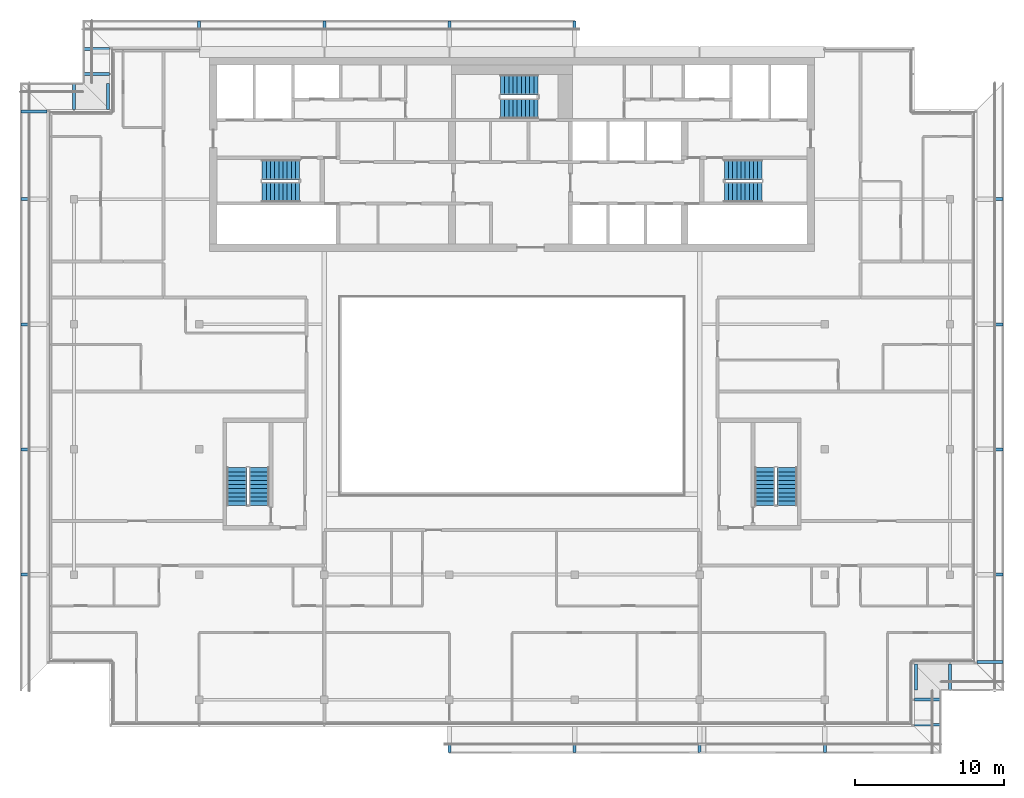
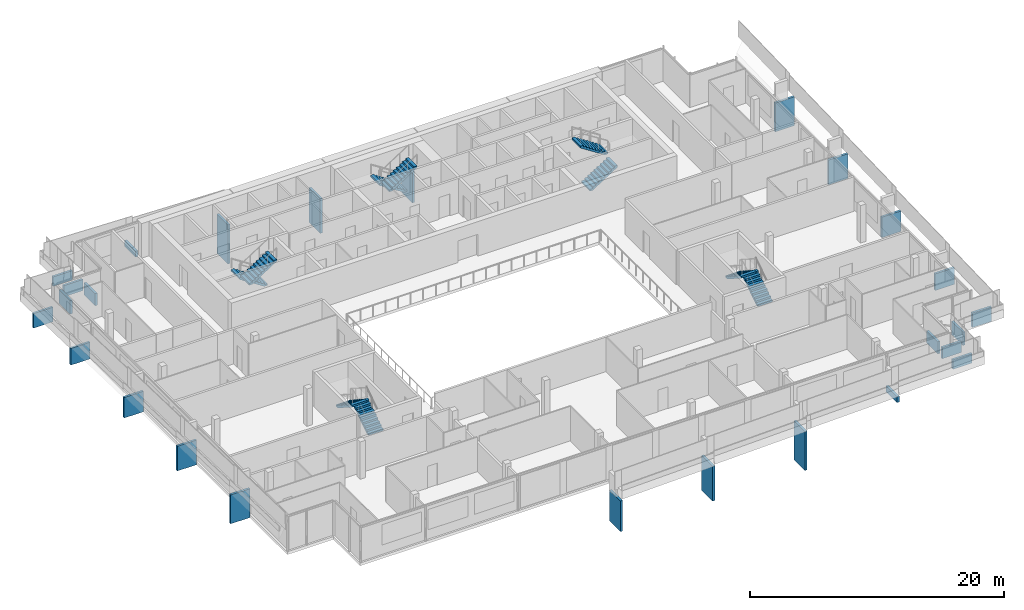
# One storey, part 21 of 26: 26 discrete accessories, 10 stair flights, 5 elements without a shape of their own.
"""IFC4 building model written with IfcOpenShell, lengths in metres."""

from ifc_helpers import new_model, si_unit, direction, frame, origin, origin_2d, place, context, subcontext, project, spatial, polyline, rectangle, outline, extrude, material, type_object, element, aggregate, save


model = new_model("IFC4")

# Units and contexts
model_context = context("Model", 3, precision=1e-05, world=origin(), true_north=direction((0.0, 1.0)))
body_context = subcontext(model_context, "Body", "Model", "MODEL_VIEW")
ifc_project = project(units=[si_unit("LENGTHUNIT", "METRE"), si_unit("AREAUNIT", "SQUARE_METRE"), si_unit("VOLUMEUNIT", "CUBIC_METRE"), si_unit("PLANEANGLEUNIT", "RADIAN"), si_unit("MASSUNIT", "GRAM", prefix="KILO")], contexts=[model_context])

# Site, building, storey
site_placement = place(None, origin())
site = spatial("IfcSite", under=ifc_project, at=site_placement, CompositionType="ELEMENT")
building_placement = place(site_placement, origin())
building = spatial("IfcBuilding", under=site, at=building_placement, Name="Saffron Gate Tower", CompositionType="ELEMENT")
storey_placement = place(building_placement, frame((0.0, 0.0, 277.949951171875)))
storey = spatial("IfcBuildingStorey", under=building, at=storey_placement, Name="L67", CompositionType="ELEMENT", Elevation=277.949951171875)

# Stair, stair flights
ifc_material = material(Name="Concrete C40", Category="concrete")
stair_type = type_object("IfcStairType", Name="ST7 Stair 1350 wide, 20 risers of 180", PredefinedType="HALF_TURN_STAIR", material=ifc_material)
stair_1_placement = place(storey_placement, origin())
stair_1 = element("IfcStair", 1, at=stair_1_placement, inside=storey, type_object=stair_type, Name="L67 Exit stair A", PredefinedType="HALF_TURN_STAIR")
stair_flight_type = type_object("IfcStairFlightType", Name="SF3 Stair flight 1350 wide, riser 180 going 280", PredefinedType="STRAIGHT", material=ifc_material)
stair_flight_1_placement = place(storey_placement, frame((73.35009765625, 67.375, 0.0), z_axis=(0.0, 0.0, 1.0), x_axis=(-1.0, 0.0, 0.0)))
stair_flight_1 = element("IfcStairFlight", 2, at=stair_flight_1_placement, type_object=stair_flight_type, Name="ST-A flight 1", NumberOfRisers=10, NumberOfTreads=9, PredefinedType="STRAIGHT", RiserHeight=0.18, TreadLength=0.28, context=body_context, shape_type="SweptSolid", body=[
    extrude(outline(polyline([(0.0, 0.0), (0.0, 0.179931640625), (0.280029296875, 0.179931640625), (0.280029296875, 0.360107421875), (0.56005859375, 0.360107421875), (0.56005859375, 0.5400390625), (0.840087890625, 0.5400390625), (0.840087890625, 0.719970703125), (1.1201171875, 0.719970703125), (1.1201171875, 0.89990234375), (1.39990234375, 0.89990234375), (1.39990234375, 1.080078125), (1.679931640625, 1.080078125), (1.679931640625, 1.260009765625), (1.9599609375, 1.260009765625), (1.9599609375, 1.43994140625), (2.239990234375, 1.43994140625), (2.239990234375, 1.6201171875), (2.52001953125, 1.6201171875), (2.52001953125, 1.800048828125), (2.52001953125, 1.44189453125), (0.277099609375, 0.0), (0.0, 0.0)])), frame((0.0, 0.675048828125, 0.0), z_axis=(0.0, -1.0, 0.0), x_axis=(1.0, 0.0, 0.0)), (0.0, 0.0, 1.0), 1.35009765625),
])
stair_flight_2_placement = place(storey_placement, frame((70.830078125, 65.875, 1.800048828125), z_axis=(0.0, 0.0, 1.0), x_axis=(1.0, 0.0, 0.0)))
stair_flight_2 = element("IfcStairFlight", 3, at=stair_flight_2_placement, type_object=stair_flight_type, Name="ST-A flight 2", NumberOfRisers=10, NumberOfTreads=9, PredefinedType="STRAIGHT", RiserHeight=0.18, TreadLength=0.28, context=body_context, shape_type="SweptSolid", body=[
    extrude(outline(polyline([(0.0, 0.0), (0.0, 0.179931640625), (0.280029296875, 0.179931640625), (0.280029296875, 0.360107421875), (0.56005859375, 0.360107421875), (0.56005859375, 0.5400390625), (0.840087890625, 0.5400390625), (0.840087890625, 0.719970703125), (1.1201171875, 0.719970703125), (1.1201171875, 0.89990234375), (1.39990234375, 0.89990234375), (1.39990234375, 1.080078125), (1.679931640625, 1.080078125), (1.679931640625, 1.260009765625), (1.9599609375, 1.260009765625), (1.9599609375, 1.43994140625), (2.239990234375, 1.43994140625), (2.239990234375, 1.6201171875), (2.52001953125, 1.6201171875), (2.52001953125, 1.800048828125), (2.52001953125, 1.44189453125), (0.277099609375, 0.0), (0.0, 0.0)])), frame((0.0, 0.675048828125, 0.0), z_axis=(0.0, -1.0, 0.0), x_axis=(1.0, 0.0, 0.0)), (0.0, 0.0, 1.0), 1.35009765625),
])
aggregate(stair_1, [stair_flight_1, stair_flight_2])

stair_2_placement = place(storey_placement, origin())
stair_2 = element("IfcStair", 4, at=stair_2_placement, inside=storey, type_object=stair_type, Name="L67 Exit stair B", PredefinedType="HALF_TURN_STAIR")
stair_flight_3_placement = place(storey_placement, frame((101.85009765625, 65.875, 0.0), z_axis=(0.0, 0.0, 1.0), x_axis=(1.0, 0.0, 0.0)))
stair_flight_3 = element("IfcStairFlight", 5, at=stair_flight_3_placement, type_object=stair_flight_type, Name="ST-B flight 1", NumberOfRisers=10, NumberOfTreads=9, PredefinedType="STRAIGHT", RiserHeight=0.18, TreadLength=0.28, context=body_context, shape_type="SweptSolid", body=[
    extrude(outline(polyline([(0.0, 0.0), (0.0, 0.179931640625), (0.280029296875, 0.179931640625), (0.280029296875, 0.360107421875), (0.56005859375, 0.360107421875), (0.56005859375, 0.5400390625), (0.840087890625, 0.5400390625), (0.840087890625, 0.719970703125), (1.1201171875, 0.719970703125), (1.1201171875, 0.89990234375), (1.39990234375, 0.89990234375), (1.39990234375, 1.080078125), (1.679931640625, 1.080078125), (1.679931640625, 1.260009765625), (1.9599609375, 1.260009765625), (1.9599609375, 1.43994140625), (2.239990234375, 1.43994140625), (2.239990234375, 1.6201171875), (2.52001953125, 1.6201171875), (2.52001953125, 1.800048828125), (2.52001953125, 1.44189453125), (0.277099609375, 0.0), (0.0, 0.0)])), frame((0.0, 0.675048828125, 0.0), z_axis=(0.0, -1.0, 0.0), x_axis=(1.0, 0.0, 0.0)), (0.0, 0.0, 1.0), 1.35009765625),
])
stair_flight_4_placement = place(storey_placement, frame((104.3701171875, 67.375, 1.800048828125), z_axis=(0.0, 0.0, 1.0), x_axis=(-1.0, 0.0, 0.0)))
stair_flight_4 = element("IfcStairFlight", 6, at=stair_flight_4_placement, type_object=stair_flight_type, Name="ST-B flight 2", NumberOfRisers=10, NumberOfTreads=9, PredefinedType="STRAIGHT", RiserHeight=0.18, TreadLength=0.28, context=body_context, shape_type="SweptSolid", body=[
    extrude(outline(polyline([(0.0, 0.0), (0.0, 0.179931640625), (0.280029296875, 0.179931640625), (0.280029296875, 0.360107421875), (0.56005859375, 0.360107421875), (0.56005859375, 0.5400390625), (0.840087890625, 0.5400390625), (0.840087890625, 0.719970703125), (1.1201171875, 0.719970703125), (1.1201171875, 0.89990234375), (1.39990234375, 0.89990234375), (1.39990234375, 1.080078125), (1.679931640625, 1.080078125), (1.679931640625, 1.260009765625), (1.9599609375, 1.260009765625), (1.9599609375, 1.43994140625), (2.239990234375, 1.43994140625), (2.239990234375, 1.6201171875), (2.52001953125, 1.6201171875), (2.52001953125, 1.800048828125), (2.52001953125, 1.44189453125), (0.277099609375, 0.0), (0.0, 0.0)])), frame((0.0, 0.675048828125, 0.0), z_axis=(0.0, -1.0, 0.0), x_axis=(1.0, 0.0, 0.0)), (0.0, 0.0, 1.0), 1.35009765625),
])
aggregate(stair_2, [stair_flight_3, stair_flight_4])

stair_3_placement = place(storey_placement, origin())
stair_3 = element("IfcStair", 7, at=stair_3_placement, inside=storey, type_object=stair_type, Name="L67 Exit stair C", PredefinedType="HALF_TURN_STAIR")
stair_flight_5_placement = place(storey_placement, frame((89.35009765625, 73.074951171875, 0.0), z_axis=(0.0, 0.0, 1.0), x_axis=(-1.0, 0.0, 0.0)))
stair_flight_5 = element("IfcStairFlight", 8, at=stair_flight_5_placement, type_object=stair_flight_type, Name="ST-C flight 1", NumberOfRisers=10, NumberOfTreads=9, PredefinedType="STRAIGHT", RiserHeight=0.18, TreadLength=0.28, context=body_context, shape_type="SweptSolid", body=[
    extrude(outline(polyline([(0.0, 0.0), (0.0, 0.179931640625), (0.280029296875, 0.179931640625), (0.280029296875, 0.360107421875), (0.56005859375, 0.360107421875), (0.56005859375, 0.5400390625), (0.840087890625, 0.5400390625), (0.840087890625, 0.719970703125), (1.1201171875, 0.719970703125), (1.1201171875, 0.89990234375), (1.39990234375, 0.89990234375), (1.39990234375, 1.080078125), (1.679931640625, 1.080078125), (1.679931640625, 1.260009765625), (1.9599609375, 1.260009765625), (1.9599609375, 1.43994140625), (2.239990234375, 1.43994140625), (2.239990234375, 1.6201171875), (2.52001953125, 1.6201171875), (2.52001953125, 1.800048828125), (2.52001953125, 1.44189453125), (0.277099609375, 0.0), (0.0, 0.0)])), frame((0.0, 0.675048828125, 0.0), z_axis=(0.0, -1.0, 0.0), x_axis=(1.0, 0.0, 0.0)), (0.0, 0.0, 1.0), 1.35009765625),
])
stair_flight_6_placement = place(storey_placement, frame((86.830078125, 71.47509765625, 1.800048828125), z_axis=(0.0, 0.0, 1.0), x_axis=(1.0, 0.0, 0.0)))
stair_flight_6 = element("IfcStairFlight", 9, at=stair_flight_6_placement, type_object=stair_flight_type, Name="ST-C flight 2", NumberOfRisers=10, NumberOfTreads=9, PredefinedType="STRAIGHT", RiserHeight=0.18, TreadLength=0.28, context=body_context, shape_type="SweptSolid", body=[
    extrude(outline(polyline([(0.0, 0.0), (0.0, 0.179931640625), (0.280029296875, 0.179931640625), (0.280029296875, 0.360107421875), (0.56005859375, 0.360107421875), (0.56005859375, 0.5400390625), (0.840087890625, 0.5400390625), (0.840087890625, 0.719970703125), (1.1201171875, 0.719970703125), (1.1201171875, 0.89990234375), (1.39990234375, 0.89990234375), (1.39990234375, 1.080078125), (1.679931640625, 1.080078125), (1.679931640625, 1.260009765625), (1.9599609375, 1.260009765625), (1.9599609375, 1.43994140625), (2.239990234375, 1.43994140625), (2.239990234375, 1.6201171875), (2.52001953125, 1.6201171875), (2.52001953125, 1.800048828125), (2.52001953125, 1.44189453125), (0.277099609375, 0.0), (0.0, 0.0)])), frame((0.0, 0.675048828125, 0.0), z_axis=(0.0, -1.0, 0.0), x_axis=(1.0, 0.0, 0.0)), (0.0, 0.0, 1.0), 1.35009765625),
])
aggregate(stair_3, [stair_flight_5, stair_flight_6])

stair_4_placement = place(storey_placement, origin())
stair_4 = element("IfcStair", 10, at=stair_4_placement, inside=storey, type_object=stair_type, Name="L67 Exit stair D", PredefinedType="HALF_TURN_STAIR")
stair_flight_7_placement = place(storey_placement, frame((70.625, 44.85009765625, 0.0), z_axis=(0.0, 0.0, 1.0), x_axis=(0.0, 1.0, 0.0)))
stair_flight_7 = element("IfcStairFlight", 11, at=stair_flight_7_placement, type_object=stair_flight_type, Name="ST-D flight 1", NumberOfRisers=10, NumberOfTreads=9, PredefinedType="STRAIGHT", RiserHeight=0.18, TreadLength=0.28, context=body_context, shape_type="SweptSolid", body=[
    extrude(outline(polyline([(0.0, 0.0), (0.0, 0.179931640625), (0.280029296875, 0.179931640625), (0.280029296875, 0.360107421875), (0.56005859375, 0.360107421875), (0.56005859375, 0.5400390625), (0.840087890625, 0.5400390625), (0.840087890625, 0.719970703125), (1.1201171875, 0.719970703125), (1.1201171875, 0.89990234375), (1.39990234375, 0.89990234375), (1.39990234375, 1.080078125), (1.679931640625, 1.080078125), (1.679931640625, 1.260009765625), (1.9599609375, 1.260009765625), (1.9599609375, 1.43994140625), (2.239990234375, 1.43994140625), (2.239990234375, 1.6201171875), (2.52001953125, 1.6201171875), (2.52001953125, 1.800048828125), (2.52001953125, 1.44189453125), (0.277099609375, 0.0), (0.0, 0.0)])), frame((0.0, 0.675048828125, 0.0), z_axis=(0.0, -1.0, 0.0), x_axis=(1.0, 0.0, 0.0)), (0.0, 0.0, 1.0), 1.35009765625),
])
stair_flight_8_placement = place(storey_placement, frame((69.125, 47.3701171875, 1.800048828125), z_axis=(0.0, 0.0, 1.0), x_axis=(0.0, -1.0, 0.0)))
stair_flight_8 = element("IfcStairFlight", 12, at=stair_flight_8_placement, type_object=stair_flight_type, Name="ST-D flight 2", NumberOfRisers=10, NumberOfTreads=9, PredefinedType="STRAIGHT", RiserHeight=0.18, TreadLength=0.28, context=body_context, shape_type="SweptSolid", body=[
    extrude(outline(polyline([(0.0, 0.0), (0.0, 0.179931640625), (0.280029296875, 0.179931640625), (0.280029296875, 0.360107421875), (0.56005859375, 0.360107421875), (0.56005859375, 0.5400390625), (0.840087890625, 0.5400390625), (0.840087890625, 0.719970703125), (1.1201171875, 0.719970703125), (1.1201171875, 0.89990234375), (1.39990234375, 0.89990234375), (1.39990234375, 1.080078125), (1.679931640625, 1.080078125), (1.679931640625, 1.260009765625), (1.9599609375, 1.260009765625), (1.9599609375, 1.43994140625), (2.239990234375, 1.43994140625), (2.239990234375, 1.6201171875), (2.52001953125, 1.6201171875), (2.52001953125, 1.800048828125), (2.52001953125, 1.44189453125), (0.277099609375, 0.0), (0.0, 0.0)])), frame((0.0, 0.675048828125, 0.0), z_axis=(0.0, -1.0, 0.0), x_axis=(1.0, 0.0, 0.0)), (0.0, 0.0, 1.0), 1.35009765625),
])
aggregate(stair_4, [stair_flight_7, stair_flight_8])

stair_5_placement = place(storey_placement, origin())
stair_5 = element("IfcStair", 13, at=stair_5_placement, inside=storey, type_object=stair_type, Name="L67 Exit stair E", PredefinedType="HALF_TURN_STAIR")
stair_flight_9_placement = place(storey_placement, frame((106.074951171875, 44.85009765625, 0.0), z_axis=(0.0, 0.0, 1.0), x_axis=(0.0, 1.0, 0.0)))
stair_flight_9 = element("IfcStairFlight", 14, at=stair_flight_9_placement, type_object=stair_flight_type, Name="ST-E flight 1", NumberOfRisers=10, NumberOfTreads=9, PredefinedType="STRAIGHT", RiserHeight=0.18, TreadLength=0.28, context=body_context, shape_type="SweptSolid", body=[
    extrude(outline(polyline([(0.0, 0.0), (0.0, 0.179931640625), (0.280029296875, 0.179931640625), (0.280029296875, 0.360107421875), (0.56005859375, 0.360107421875), (0.56005859375, 0.5400390625), (0.840087890625, 0.5400390625), (0.840087890625, 0.719970703125), (1.1201171875, 0.719970703125), (1.1201171875, 0.89990234375), (1.39990234375, 0.89990234375), (1.39990234375, 1.080078125), (1.679931640625, 1.080078125), (1.679931640625, 1.260009765625), (1.9599609375, 1.260009765625), (1.9599609375, 1.43994140625), (2.239990234375, 1.43994140625), (2.239990234375, 1.6201171875), (2.52001953125, 1.6201171875), (2.52001953125, 1.800048828125), (2.52001953125, 1.44189453125), (0.277099609375, 0.0), (0.0, 0.0)])), frame((0.0, 0.675048828125, 0.0), z_axis=(0.0, -1.0, 0.0), x_axis=(1.0, 0.0, 0.0)), (0.0, 0.0, 1.0), 1.35009765625),
])
stair_flight_10_placement = place(storey_placement, frame((104.574951171875, 47.3701171875, 1.800048828125), z_axis=(0.0, 0.0, 1.0), x_axis=(0.0, -1.0, 0.0)))
stair_flight_10 = element("IfcStairFlight", 15, at=stair_flight_10_placement, type_object=stair_flight_type, Name="ST-E flight 2", NumberOfRisers=10, NumberOfTreads=9, PredefinedType="STRAIGHT", RiserHeight=0.18, TreadLength=0.28, context=body_context, shape_type="SweptSolid", body=[
    extrude(outline(polyline([(0.0, 0.0), (0.0, 0.179931640625), (0.280029296875, 0.179931640625), (0.280029296875, 0.360107421875), (0.56005859375, 0.360107421875), (0.56005859375, 0.5400390625), (0.840087890625, 0.5400390625), (0.840087890625, 0.719970703125), (1.1201171875, 0.719970703125), (1.1201171875, 0.89990234375), (1.39990234375, 0.89990234375), (1.39990234375, 1.080078125), (1.679931640625, 1.080078125), (1.679931640625, 1.260009765625), (1.9599609375, 1.260009765625), (1.9599609375, 1.43994140625), (2.239990234375, 1.43994140625), (2.239990234375, 1.6201171875), (2.52001953125, 1.6201171875), (2.52001953125, 1.800048828125), (2.52001953125, 1.44189453125), (0.277099609375, 0.0), (0.0, 0.0)])), frame((0.0, 0.675048828125, 0.0), z_axis=(0.0, -1.0, 0.0), x_axis=(1.0, 0.0, 0.0)), (0.0, 0.0, 1.0), 1.35009765625),
])
aggregate(stair_5, [stair_flight_9, stair_flight_10])

# Discrete accessories
discrete_accessory_1_placement = place(storey_placement, frame((91.800048828125, 76.47509765625, -3.8798828125), z_axis=(0.0, 0.0, 1.0), x_axis=(-1.0, 0.0, 0.0)))
element("IfcDiscreteAccessory", 16, at=discrete_accessory_1_placement, inside=storey, Name="LEDGE rib", PredefinedType="BRACKET", context=body_context, shape_type="SweptSolid", body=[
    extrude(rectangle(XDim=0.199951171875, YDim=1.75, at=origin_2d()), origin(), (0.0, 0.0, 1.0), 2.9482421875),
])
discrete_accessory_2_placement = place(storey_placement, frame((83.39990234375, 76.47509765625, -3.8798828125), z_axis=(0.0, 0.0, 1.0), x_axis=(-1.0, 0.0, 0.0)))
element("IfcDiscreteAccessory", 17, at=discrete_accessory_2_placement, inside=storey, Name="LEDGE rib", PredefinedType="BRACKET", context=body_context, shape_type="SweptSolid", body=[
    extrude(rectangle(XDim=0.199951171875, YDim=1.75, at=origin_2d()), origin(), (0.0, 0.0, 1.0), 3.35498046875),
])
discrete_accessory_3_placement = place(storey_placement, frame((75.0, 76.47509765625, -3.8798828125), z_axis=(0.0, 0.0, 1.0), x_axis=(-1.0, 0.0, 0.0)))
element("IfcDiscreteAccessory", 18, at=discrete_accessory_3_placement, inside=storey, Name="LEDGE rib", PredefinedType="BRACKET", context=body_context, shape_type="SweptSolid", body=[
    extrude(rectangle(XDim=0.199951171875, YDim=1.75, at=origin_2d()), origin(), (0.0, 0.0, 1.0), 3.761474609375),
])
discrete_accessory_4_placement = place(storey_placement, frame((66.60009765625, 76.47509765625, -0.280029296875), z_axis=(0.0, 0.0, 1.0), x_axis=(-1.0, 0.0, 0.0)))
element("IfcDiscreteAccessory", 19, at=discrete_accessory_4_placement, inside=storey, Name="LEDGE rib", PredefinedType="BRACKET", context=body_context, shape_type="SweptSolid", body=[
    extrude(rectangle(XDim=0.199951171875, YDim=1.75, at=origin_2d()), origin(), (0.0, 0.0, 1.0), 0.568359375),
])
discrete_accessory_5_placement = place(storey_placement, frame((59.72509765625, 75.47998046875, -0.27978515625), z_axis=(0.0, 0.0, 1.0), x_axis=(0.0, -1.0, 0.0)))
element("IfcDiscreteAccessory", 20, at=discrete_accessory_5_placement, inside=storey, Name="LEDGE rib", PredefinedType="BRACKET", context=body_context, shape_type="SweptSolid", body=[
    extrude(rectangle(XDim=0.199951171875, YDim=1.75, at=origin_2d()), origin(), (0.0, 0.0, 1.0), 0.90576171875),
])
discrete_accessory_6_placement = place(storey_placement, frame((59.72509765625, 73.800048828125, -0.27978515625), z_axis=(0.0, 0.0, 1.0), x_axis=(0.0, -1.0, 0.0)))
element("IfcDiscreteAccessory", 21, at=discrete_accessory_6_placement, inside=storey, Name="LEDGE rib", PredefinedType="BRACKET", context=body_context, shape_type="SweptSolid", body=[
    extrude(rectangle(XDim=0.199951171875, YDim=1.75, at=origin_2d()), origin(), (0.0, 0.0, 1.0), 1.075439453125),
])
discrete_accessory_7_placement = place(storey_placement, frame((60.47998046875, 72.27490234375, -0.27978515625), z_axis=(0.0, 0.0, 1.0), x_axis=(-1.0, 0.0, 0.0)))
element("IfcDiscreteAccessory", 22, at=discrete_accessory_7_placement, inside=storey, Name="LEDGE rib", PredefinedType="BRACKET", context=body_context, shape_type="SweptSolid", body=[
    extrude(rectangle(XDim=0.199951171875, YDim=1.75, at=origin_2d()), origin(), (0.0, 0.0, 1.0), 1.1796875),
])
discrete_accessory_8_placement = place(storey_placement, frame((58.199951171875, 72.27490234375, -0.27978515625), z_axis=(0.0, 0.0, 1.0), x_axis=(-1.0, 0.0, 0.0)))
element("IfcDiscreteAccessory", 23, at=discrete_accessory_8_placement, inside=storey, Name="LEDGE rib", PredefinedType="BRACKET", context=body_context, shape_type="SweptSolid", body=[
    extrude(rectangle(XDim=0.199951171875, YDim=1.75, at=origin_2d()), origin(), (0.0, 0.0, 1.0), 1.2958984375),
])
discrete_accessory_9_placement = place(storey_placement, frame((55.52490234375, 71.280029296875, -0.280029296875), z_axis=(0.0, 0.0, 1.0), x_axis=(0.0, -1.0, 0.0)))
element("IfcDiscreteAccessory", 24, at=discrete_accessory_9_placement, inside=storey, Name="LEDGE rib", PredefinedType="BRACKET", context=body_context, shape_type="SweptSolid", body=[
    extrude(rectangle(XDim=0.199951171875, YDim=1.75, at=origin_2d()), origin(), (0.0, 0.0, 1.0), 1.39501953125),
])
discrete_accessory_10_placement = place(storey_placement, frame((55.52490234375, 65.39990234375, -0.280029296875), z_axis=(0.0, 0.0, 1.0), x_axis=(0.0, -1.0, 0.0)))
element("IfcDiscreteAccessory", 25, at=discrete_accessory_10_placement, inside=storey, Name="LEDGE rib", PredefinedType="BRACKET", context=body_context, shape_type="SweptSolid", body=[
    extrude(rectangle(XDim=0.199951171875, YDim=1.75, at=origin_2d()), origin(), (0.0, 0.0, 1.0), 1.60302734375),
])
discrete_accessory_11_placement = place(storey_placement, frame((55.52490234375, 57.0, -0.27978515625), z_axis=(0.0, 0.0, 1.0), x_axis=(0.0, -1.0, 0.0)))
element("IfcDiscreteAccessory", 26, at=discrete_accessory_11_placement, inside=storey, Name="LEDGE rib", PredefinedType="BRACKET", context=body_context, shape_type="SweptSolid", body=[
    extrude(rectangle(XDim=0.199951171875, YDim=1.75, at=origin_2d()), origin(), (0.0, 0.0, 1.0), 1.962646484375),
])
discrete_accessory_12_placement = place(storey_placement, frame((55.52490234375, 48.60009765625, -0.27978515625), z_axis=(0.0, 0.0, 1.0), x_axis=(0.0, -1.0, 0.0)))
element("IfcDiscreteAccessory", 27, at=discrete_accessory_12_placement, inside=storey, Name="LEDGE rib", PredefinedType="BRACKET", context=body_context, shape_type="SweptSolid", body=[
    extrude(rectangle(XDim=0.199951171875, YDim=1.75, at=origin_2d()), origin(), (0.0, 0.0, 1.0), 2.369384765625),
])
discrete_accessory_13_placement = place(storey_placement, frame((55.52490234375, 40.199951171875, -0.27978515625), z_axis=(0.0, 0.0, 1.0), x_axis=(0.0, -1.0, 0.0)))
element("IfcDiscreteAccessory", 28, at=discrete_accessory_13_placement, inside=storey, Name="LEDGE rib", PredefinedType="BRACKET", context=body_context, shape_type="SweptSolid", body=[
    extrude(rectangle(XDim=0.199951171875, YDim=1.75, at=origin_2d()), origin(), (0.0, 0.0, 1.0), 2.776123046875),
])
discrete_accessory_14_placement = place(storey_placement, frame((83.39990234375, 29.125, -3.8798828125), z_axis=(0.0, 0.0, 1.0), x_axis=(1.0, 0.0, 0.0)))
element("IfcDiscreteAccessory", 29, at=discrete_accessory_14_placement, inside=storey, Name="LEDGE rib", PredefinedType="BRACKET", context=body_context, shape_type="SweptSolid", body=[
    extrude(rectangle(XDim=0.199951171875, YDim=1.75, at=origin_2d()), origin(), (0.0, 0.0, 1.0), 2.9482421875),
])
discrete_accessory_15_placement = place(storey_placement, frame((91.800048828125, 29.125, -3.8798828125), z_axis=(0.0, 0.0, 1.0), x_axis=(1.0, 0.0, 0.0)))
element("IfcDiscreteAccessory", 30, at=discrete_accessory_15_placement, inside=storey, Name="LEDGE rib", PredefinedType="BRACKET", context=body_context, shape_type="SweptSolid", body=[
    extrude(rectangle(XDim=0.199951171875, YDim=1.75, at=origin_2d()), origin(), (0.0, 0.0, 1.0), 3.35498046875),
])
discrete_accessory_16_placement = place(storey_placement, frame((100.199951171875, 29.125, -3.8798828125), z_axis=(0.0, 0.0, 1.0), x_axis=(1.0, 0.0, 0.0)))
element("IfcDiscreteAccessory", 31, at=discrete_accessory_16_placement, inside=storey, Name="LEDGE rib", PredefinedType="BRACKET", context=body_context, shape_type="SweptSolid", body=[
    extrude(rectangle(XDim=0.199951171875, YDim=1.75, at=origin_2d()), origin(), (0.0, 0.0, 1.0), 3.761474609375),
])
discrete_accessory_17_placement = place(storey_placement, frame((108.60009765625, 29.125, -0.280029296875), z_axis=(0.0, 0.0, 1.0), x_axis=(1.0, 0.0, 0.0)))
element("IfcDiscreteAccessory", 32, at=discrete_accessory_17_placement, inside=storey, Name="LEDGE rib", PredefinedType="BRACKET", context=body_context, shape_type="SweptSolid", body=[
    extrude(rectangle(XDim=0.199951171875, YDim=1.75, at=origin_2d()), origin(), (0.0, 0.0, 1.0), 0.576171875),
])
discrete_accessory_18_placement = place(storey_placement, frame((115.47509765625, 30.1201171875, -0.27978515625), z_axis=(0.0, 0.0, 1.0), x_axis=(0.0, 1.0, 0.0)))
element("IfcDiscreteAccessory", 33, at=discrete_accessory_18_placement, inside=storey, Name="LEDGE rib", PredefinedType="BRACKET", context=body_context, shape_type="SweptSolid", body=[
    extrude(rectangle(XDim=0.199951171875, YDim=1.75, at=origin_2d()), origin(), (0.0, 0.0, 1.0), 0.90576171875),
])
discrete_accessory_19_placement = place(storey_placement, frame((115.47509765625, 31.800048828125, -0.27978515625), z_axis=(0.0, 0.0, 1.0), x_axis=(0.0, 1.0, 0.0)))
element("IfcDiscreteAccessory", 34, at=discrete_accessory_19_placement, inside=storey, Name="LEDGE rib", PredefinedType="BRACKET", context=body_context, shape_type="SweptSolid", body=[
    extrude(rectangle(XDim=0.199951171875, YDim=1.75, at=origin_2d()), origin(), (0.0, 0.0, 1.0), 1.075439453125),
])
discrete_accessory_20_placement = place(storey_placement, frame((114.719970703125, 33.324951171875, -0.27978515625), z_axis=(0.0, 0.0, 1.0), x_axis=(1.0, 0.0, 0.0)))
element("IfcDiscreteAccessory", 35, at=discrete_accessory_20_placement, inside=storey, Name="LEDGE rib", PredefinedType="BRACKET", context=body_context, shape_type="SweptSolid", body=[
    extrude(rectangle(XDim=0.199951171875, YDim=1.75, at=origin_2d()), origin(), (0.0, 0.0, 1.0), 1.1796875),
])
discrete_accessory_21_placement = place(storey_placement, frame((117.0, 33.324951171875, -0.27978515625), z_axis=(0.0, 0.0, 1.0), x_axis=(1.0, 0.0, 0.0)))
element("IfcDiscreteAccessory", 36, at=discrete_accessory_21_placement, inside=storey, Name="LEDGE rib", PredefinedType="BRACKET", context=body_context, shape_type="SweptSolid", body=[
    extrude(rectangle(XDim=0.199951171875, YDim=1.75, at=origin_2d()), origin(), (0.0, 0.0, 1.0), 1.2958984375),
])
discrete_accessory_22_placement = place(storey_placement, frame((119.675048828125, 34.320068359375, -0.280029296875), z_axis=(0.0, 0.0, 1.0), x_axis=(0.0, 1.0, 0.0)))
element("IfcDiscreteAccessory", 37, at=discrete_accessory_22_placement, inside=storey, Name="LEDGE rib", PredefinedType="BRACKET", context=body_context, shape_type="SweptSolid", body=[
    extrude(rectangle(XDim=0.199951171875, YDim=1.75, at=origin_2d()), origin(), (0.0, 0.0, 1.0), 1.39501953125),
])
discrete_accessory_23_placement = place(storey_placement, frame((119.675048828125, 40.199951171875, -0.280029296875), z_axis=(0.0, 0.0, 1.0), x_axis=(0.0, 1.0, 0.0)))
element("IfcDiscreteAccessory", 38, at=discrete_accessory_23_placement, inside=storey, Name="LEDGE rib", PredefinedType="BRACKET", context=body_context, shape_type="SweptSolid", body=[
    extrude(rectangle(XDim=0.199951171875, YDim=1.75, at=origin_2d()), origin(), (0.0, 0.0, 1.0), 1.60302734375),
])
discrete_accessory_24_placement = place(storey_placement, frame((119.675048828125, 48.60009765625, -0.27978515625), z_axis=(0.0, 0.0, 1.0), x_axis=(0.0, 1.0, 0.0)))
element("IfcDiscreteAccessory", 39, at=discrete_accessory_24_placement, inside=storey, Name="LEDGE rib", PredefinedType="BRACKET", context=body_context, shape_type="SweptSolid", body=[
    extrude(rectangle(XDim=0.199951171875, YDim=1.75, at=origin_2d()), origin(), (0.0, 0.0, 1.0), 1.962646484375),
])
discrete_accessory_25_placement = place(storey_placement, frame((119.675048828125, 57.0, -0.27978515625), z_axis=(0.0, 0.0, 1.0), x_axis=(0.0, 1.0, 0.0)))
element("IfcDiscreteAccessory", 40, at=discrete_accessory_25_placement, inside=storey, Name="LEDGE rib", PredefinedType="BRACKET", context=body_context, shape_type="SweptSolid", body=[
    extrude(rectangle(XDim=0.199951171875, YDim=1.75, at=origin_2d()), origin(), (0.0, 0.0, 1.0), 2.369384765625),
])
discrete_accessory_26_placement = place(storey_placement, frame((119.675048828125, 65.39990234375, -0.27978515625), z_axis=(0.0, 0.0, 1.0), x_axis=(0.0, 1.0, 0.0)))
element("IfcDiscreteAccessory", 41, at=discrete_accessory_26_placement, inside=storey, Name="LEDGE rib", PredefinedType="BRACKET", context=body_context, shape_type="SweptSolid", body=[
    extrude(rectangle(XDim=0.199951171875, YDim=1.75, at=origin_2d()), origin(), (0.0, 0.0, 1.0), 2.776123046875),
])

save(model, "model.ifc")
